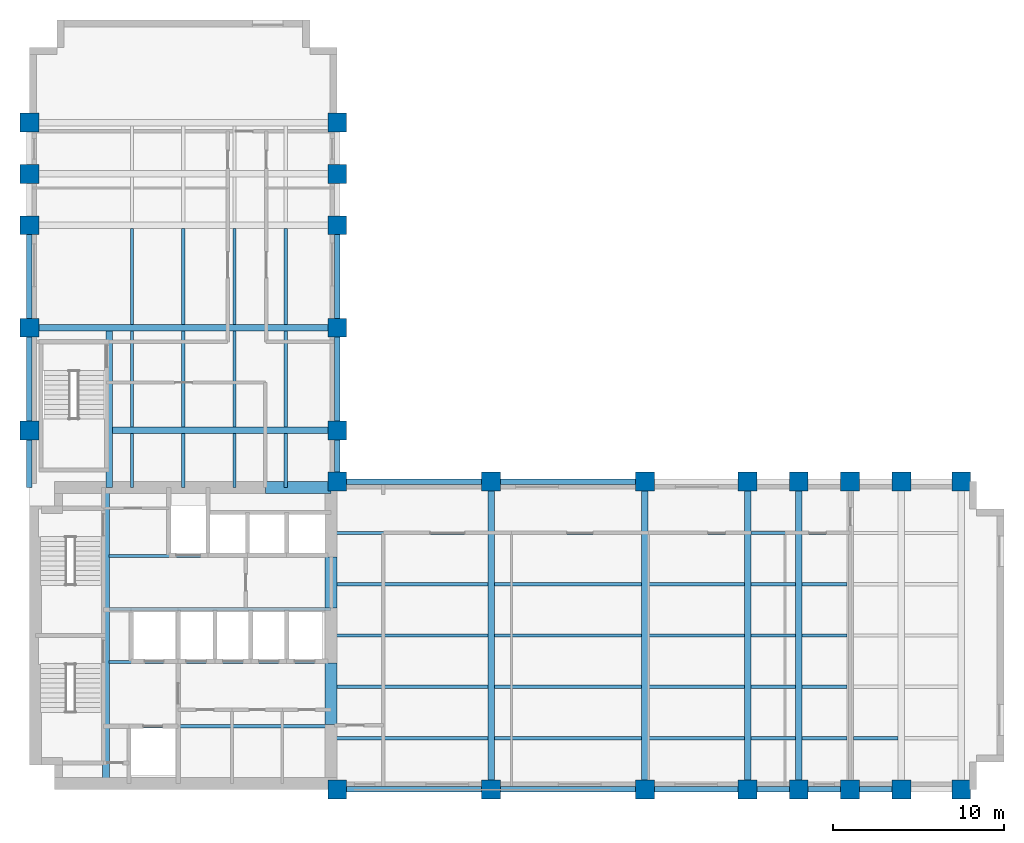
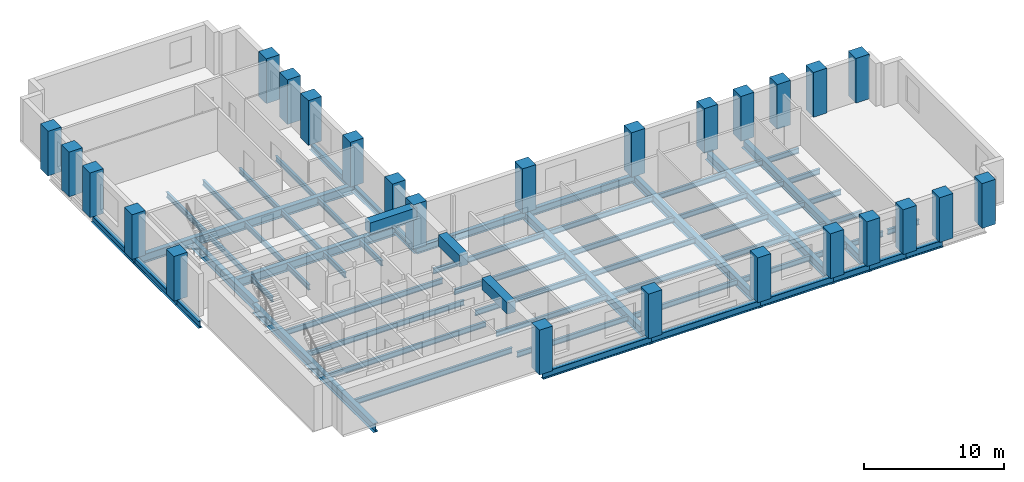
# One storey, part 1 of 7: 67 beams, 26 columns.
"""IFC4 building model written with IfcOpenShell, lengths in metres."""

from ifc_helpers import new_model, si_unit, direction, frame, origin, origin_2d, place, context, subcontext, project, spatial, rectangle, i_section, extrude, material, material_profile, profile_set, type_object, element, save


model = new_model("IFC4")

# Units and contexts
model_context = context("Model", 3, precision=1e-05, world=origin(), true_north=direction((0.0, 1.0)))
body_context = subcontext(model_context, "Body", "Model", "MODEL_VIEW")
ifc_project = project(units=[si_unit("LENGTHUNIT", "METRE"), si_unit("AREAUNIT", "SQUARE_METRE"), si_unit("VOLUMEUNIT", "CUBIC_METRE"), si_unit("PLANEANGLEUNIT", "RADIAN"), si_unit("MASSUNIT", "GRAM", prefix="KILO")], contexts=[model_context])

# Site, building, storey
site_placement = place(None, origin())
site = spatial("IfcSite", under=ifc_project, at=site_placement, CompositionType="ELEMENT")
building_placement = place(site_placement, origin())
building = spatial("IfcBuilding", under=site, at=building_placement, Name="Mawjdan Bourse Tower", CompositionType="ELEMENT")
storey_placement = place(building_placement, frame((0.0, 0.0, 105.0)))
storey = spatial("IfcBuildingStorey", under=building, at=storey_placement, Name="L24", CompositionType="ELEMENT", Elevation=105.0)

# Columns
ifc_material_1 = material(Name="Concrete C70/85", Category="concrete")
ifc_material_profile_1 = material_profile(ifc_material_1, rectangle(XDim=1.10009765625, YDim=1.10009765625, at=origin_2d()), Name="RC1100X1100")
ifc_profile_set_1 = profile_set([ifc_material_profile_1], Name="Concrete C70/85")
column_type = type_object("IfcColumnType", Name="COL-RC1100X1100", PredefinedType="COLUMN", material=ifc_profile_set_1)
for number, where, z_axis, x_axis, name in (
    (1, (24.0, 3.0, 0.0), (0.0, 0.0, 1.0), (1.0, 0.0, 0.0), "L24 Structural Column C-X240-Y30"),
    (2, (24.0, 21.0, 0.0), (0.0, 0.0, 1.0), (1.0, 0.0, 0.0), "L24 Structural Column C-X240-Y210"),
    (3, (33.0, 3.0, 0.0), (0.0, 0.0, 1.0), (1.0, 0.0, 0.0), "L24 Structural Column C-X330-Y30"),
    (4, (33.0, 21.0, 0.0), (0.0, 0.0, 1.0), (1.0, 0.0, 0.0), "L24 Structural Column C-X330-Y210"),
    (5, (42.0, 3.0, 0.0), (0.0, 0.0, 1.0), (1.0, 0.0, 0.0), "L24 Structural Column C-X420-Y30"),
    (6, (42.0, 21.0, 0.0), (0.0, 0.0, 1.0), (1.0, 0.0, 0.0), "L24 Structural Column C-X420-Y210"),
    (7, (48.0, 3.0, 0.0), (0.0, 0.0, 1.0), (1.0, 0.0, 0.0), "L24 Structural Column C-X480-Y30"),
    (8, (48.0, 21.0, 0.0), (0.0, 0.0, 1.0), (1.0, 0.0, 0.0), "L24 Structural Column C-X480-Y210"),
    (9, (51.0, 3.0, 0.0), (0.0, 0.0, 1.0), (1.0, 0.0, 0.0), "L24 Structural Column C-X510-Y30"),
    (10, (51.0, 21.0, 0.0), (0.0, 0.0, 1.0), (1.0, 0.0, 0.0), "L24 Structural Column C-X510-Y210"),
    (11, (54.0, 3.0, 0.0), (0.0, 0.0, 1.0), (1.0, 0.0, 0.0), "L24 Structural Column C-X540-Y30"),
    (12, (54.0, 21.0, 0.0), (0.0, 0.0, 1.0), (1.0, 0.0, 0.0), "L24 Structural Column C-X540-Y210"),
    (13, (57.0, 3.0, 0.0), (0.0, 0.0, 1.0), (1.0, 0.0, 0.0), "L24 Structural Column C-X570-Y30"),
    (14, (57.0, 21.0, 0.0), (0.0, 0.0, 1.0), (1.0, 0.0, 0.0), "L24 Structural Column C-X570-Y210"),
    (15, (60.5, 3.0, 0.0), (0.0, 0.0, 1.0), (1.0, 0.0, 0.0), "L24 Structural Column C-X605-Y30"),
    (16, (60.5, 21.0, 0.0), (0.0, 0.0, 1.0), (1.0, 0.0, 0.0), "L24 Structural Column C-X605-Y210"),
    (17, (6.0, 24.0, 0.0), (0.0, 0.0, 1.0), (1.0, 0.0, 0.0), "L24 Structural Column C-X60-Y240"),
    (18, (24.0, 24.0, 0.0), (0.0, 0.0, 1.0), (1.0, 0.0, 0.0), "L24 Structural Column C-X240-Y240"),
    (19, (6.0, 30.0, 0.0), (0.0, 0.0, 1.0), (1.0, 0.0, 0.0), "L24 Structural Column C-X60-Y300"),
    (20, (24.0, 30.0, 0.0), (0.0, 0.0, 1.0), (1.0, 0.0, 0.0), "L24 Structural Column C-X240-Y300"),
    (21, (6.0, 36.0, 0.0), (0.0, 0.0, 1.0), (1.0, 0.0, 0.0), "L24 Structural Column C-X60-Y360"),
    (22, (24.0, 36.0, 0.0), (0.0, 0.0, 1.0), (1.0, 0.0, 0.0), "L24 Structural Column C-X240-Y360"),
    (23, (6.0, 39.0, 0.0), (0.0, 0.0, 1.0), (1.0, 0.0, 0.0), "L24 Structural Column C-X60-Y390"),
    (24, (24.0, 39.0, 0.0), (0.0, 0.0, 1.0), (1.0, 0.0, 0.0), "L24 Structural Column C-X240-Y390"),
    (25, (6.0, 42.0, 0.0), (0.0, 0.0, 1.0), (1.0, 0.0, 0.0), "L24 Structural Column C-X60-Y420"),
    (26, (24.0, 42.0, 0.0), (0.0, 0.0, 1.0), (1.0, 0.0, 0.0), "L24 Structural Column C-X240-Y420"),
):
    element("IfcColumn", number, at=place(storey_placement, frame(where, z_axis=z_axis, x_axis=x_axis)), inside=storey, type_object=column_type, Name=name, PredefinedType="COLUMN", context=body_context, shape_type="SweptSolid", body=[
        extrude(rectangle(XDim=1.10009765625, YDim=1.10009765625, at=origin_2d()), origin(), (0.0, 0.0, 1.0), 3.89990234375),
    ])

# Beams
ifc_material_2 = material(Name="Structural Steel S355", Category="steel")
ifc_material_profile_2 = material_profile(ifc_material_2, i_section(OverallWidth=0.381103515625, OverallDepth=0.77294921875, WebThickness=0.0166015625, FlangeThickness=0.027099609375, FilletRadius=0.021728515625, at=origin_2d()), Name="W30X173")
ifc_profile_set_2 = profile_set([ifc_material_profile_2], Name="Structural Steel S355")
beam_type_1 = type_object("IfcBeamType", Name="GRD-W30X173", PredefinedType="BEAM", material=ifc_profile_set_2)
beam_1_placement = place(storey_placement, frame((10.47998046875, 3.35009765625, -0.58642578125), z_axis=(0.0, 1.0, 0.0), x_axis=(-1.0, 0.0, 0.0)))
element("IfcBeam", 27, at=beam_1_placement, inside=storey, type_object=beam_type_1, Name="L24 Core Stair Trimmer Girder 001", PredefinedType="BEAM", context=body_context, shape_type="SweptSolid", body=[
    extrude(i_section(OverallWidth=0.381103515625, OverallDepth=0.77294921875, WebThickness=0.0166015625, FlangeThickness=0.027099609375, FilletRadius=0.021728515625, at=origin_2d()), origin(), (0.0, 0.0, 1.0), 17.2998046875),
])
for number, where, z_axis, x_axis, name in (
    (28, (33.0, 3.0, -0.58642578125), (0.0, 1.0, 0.0), (-1.0, 0.0, 0.0), "L24 East Wing Clear-Span Girder 002"),
    (29, (42.0, 3.0, -0.58642578125), (0.0, 1.0, 0.0), (-1.0, 0.0, 0.0), "L24 East Wing Clear-Span Girder 003"),
    (30, (48.0, 3.0, -0.58642578125), (0.0, 1.0, 0.0), (-1.0, 0.0, 0.0), "L24 East Wing Clear-Span Girder 004"),
    (31, (51.0, 3.0, -0.58642578125), (0.0, 1.0, 0.0), (-1.0, 0.0, 0.0), "L24 East Wing Clear-Span Girder 005"),
):
    element("IfcBeam", number, at=place(storey_placement, frame(where, z_axis=z_axis, x_axis=x_axis)), inside=storey, type_object=beam_type_1, Name=name, PredefinedType="BEAM", context=body_context, shape_type="SweptSolid", body=[
        extrude(i_section(OverallWidth=0.381103515625, OverallDepth=0.77294921875, WebThickness=0.0166015625, FlangeThickness=0.027099609375, FilletRadius=0.021728515625, at=origin_2d()), origin(), (0.0, 0.0, 1.0), 18.0),
    ])
beam_2_placement = place(storey_placement, frame((10.679931640625, 20.64990234375, -0.58642578125), z_axis=(0.0, 1.0, 0.0), x_axis=(-1.0, 0.0, 0.0)))
element("IfcBeam", 32, at=beam_2_placement, inside=storey, type_object=beam_type_1, Name="L24 North Wing Stair Trimmer Girder 062", PredefinedType="BEAM", context=body_context, shape_type="SweptSolid", body=[
    extrude(i_section(OverallWidth=0.381103515625, OverallDepth=0.77294921875, WebThickness=0.0166015625, FlangeThickness=0.027099609375, FilletRadius=0.021728515625, at=origin_2d()), origin(), (0.0, 0.0, 1.0), 9.16162109375),
])
beam_3_placement = place(storey_placement, frame((10.868408203125, 24.0, -0.58642578125), z_axis=(1.0, 0.0, 0.0), x_axis=(0.0, 1.0, 0.0)))
element("IfcBeam", 33, at=beam_3_placement, inside=storey, type_object=beam_type_1, Name="L24 North Wing Clear-Span Girder 063", PredefinedType="BEAM", context=body_context, shape_type="SweptSolid", body=[
    extrude(i_section(OverallWidth=0.381103515625, OverallDepth=0.77294921875, WebThickness=0.0166015625, FlangeThickness=0.027099609375, FilletRadius=0.021728515625, at=origin_2d()), origin(), (0.0, 0.0, 1.0), 13.131591796875),
])
beam_4_placement = place(storey_placement, frame((6.0, 30.0, -0.58642578125), z_axis=(1.0, 0.0, 0.0), x_axis=(0.0, 1.0, 0.0)))
element("IfcBeam", 34, at=beam_4_placement, inside=storey, type_object=beam_type_1, Name="L24 North Wing Clear-Span Girder 064", PredefinedType="BEAM", context=body_context, shape_type="SweptSolid", body=[
    extrude(i_section(OverallWidth=0.381103515625, OverallDepth=0.77294921875, WebThickness=0.0166015625, FlangeThickness=0.027099609375, FilletRadius=0.021728515625, at=origin_2d()), origin(), (0.0, 0.0, 1.0), 18.0),
])
ifc_material_profile_3 = material_profile(ifc_material_2, i_section(OverallWidth=0.19189453125, OverallDepth=0.462890625, WebThickness=0.010498046875, FlangeThickness=0.017578125, FilletRadius=0.01416015625, at=origin_2d()), Name="W18X60")
ifc_profile_set_3 = profile_set([ifc_material_profile_3], Name="Structural Steel S355")
beam_type_2 = type_object("IfcBeamType", Name="JST-W18X60", PredefinedType="JOIST", material=ifc_profile_set_3)
beam_5_placement = place(storey_placement, frame((23.64990234375, 6.0, -0.431396484375), z_axis=(1.0, 0.0, 0.0), x_axis=(0.0, 1.0, 0.0)))
element("IfcBeam", 35, at=beam_5_placement, inside=storey, type_object=beam_type_2, Name="L24 East Wing Composite Joist 023", PredefinedType="JOIST", context=body_context, shape_type="SweptSolid", body=[
    extrude(i_section(OverallWidth=0.19189453125, OverallDepth=0.462890625, WebThickness=0.010498046875, FlangeThickness=0.017578125, FilletRadius=0.01416015625, at=origin_2d()), origin(), (0.0, 0.0, 1.0), 9.16162109375),
])
beam_6_placement = place(storey_placement, frame((33.1884765625, 6.0, -0.431396484375), z_axis=(1.0, 0.0, 0.0), x_axis=(0.0, 1.0, 0.0)))
element("IfcBeam", 36, at=beam_6_placement, inside=storey, type_object=beam_type_2, Name="L24 East Wing Composite Joist 024", PredefinedType="JOIST", context=body_context, shape_type="SweptSolid", body=[
    extrude(i_section(OverallWidth=0.19189453125, OverallDepth=0.462890625, WebThickness=0.010498046875, FlangeThickness=0.017578125, FilletRadius=0.01416015625, at=origin_2d()), origin(), (0.0, 0.0, 1.0), 8.623046875),
])
beam_7_placement = place(storey_placement, frame((42.1884765625, 6.0, -0.431396484375), z_axis=(1.0, 0.0, 0.0), x_axis=(0.0, 1.0, 0.0)))
element("IfcBeam", 37, at=beam_7_placement, inside=storey, type_object=beam_type_2, Name="L24 East Wing Composite Joist 025", PredefinedType="JOIST", context=body_context, shape_type="SweptSolid", body=[
    extrude(i_section(OverallWidth=0.19189453125, OverallDepth=0.462890625, WebThickness=0.010498046875, FlangeThickness=0.017578125, FilletRadius=0.01416015625, at=origin_2d()), origin(), (0.0, 0.0, 1.0), 5.623046875),
])
for number, where, z_axis, x_axis, name in (
    (38, (48.1884765625, 6.0, -0.431396484375), (1.0, 0.0, 0.0), (0.0, 1.0, 0.0), "L24 East Wing Composite Joist 026"),
    (39, (51.1884765625, 6.0, -0.431396484375), (1.0, 0.0, 0.0), (0.0, 1.0, 0.0), "L24 East Wing Composite Joist 027"),
    (40, (54.1884765625, 6.0, -0.431396484375), (1.0, 0.0, 0.0), (0.0, 1.0, 0.0), "L24 East Wing Composite Joist 028"),
):
    element("IfcBeam", number, at=place(storey_placement, frame(where, z_axis=z_axis, x_axis=x_axis)), inside=storey, type_object=beam_type_2, Name=name, PredefinedType="JOIST", context=body_context, shape_type="SweptSolid", body=[
        extrude(i_section(OverallWidth=0.19189453125, OverallDepth=0.462890625, WebThickness=0.010498046875, FlangeThickness=0.017578125, FilletRadius=0.01416015625, at=origin_2d()), origin(), (0.0, 0.0, 1.0), 2.623046875),
    ])
beam_8_placement = place(storey_placement, frame((23.64990234375, 9.0, -0.431396484375), z_axis=(1.0, 0.0, 0.0), x_axis=(0.0, 1.0, 0.0)))
element("IfcBeam", 41, at=beam_8_placement, inside=storey, type_object=beam_type_2, Name="L24 East Wing Composite Joist 030", PredefinedType="JOIST", context=body_context, shape_type="SweptSolid", body=[
    extrude(i_section(OverallWidth=0.19189453125, OverallDepth=0.462890625, WebThickness=0.010498046875, FlangeThickness=0.017578125, FilletRadius=0.01416015625, at=origin_2d()), origin(), (0.0, 0.0, 1.0), 9.16162109375),
])
beam_9_placement = place(storey_placement, frame((33.1884765625, 9.0, -0.431396484375), z_axis=(1.0, 0.0, 0.0), x_axis=(0.0, 1.0, 0.0)))
element("IfcBeam", 42, at=beam_9_placement, inside=storey, type_object=beam_type_2, Name="L24 East Wing Composite Joist 031", PredefinedType="JOIST", context=body_context, shape_type="SweptSolid", body=[
    extrude(i_section(OverallWidth=0.19189453125, OverallDepth=0.462890625, WebThickness=0.010498046875, FlangeThickness=0.017578125, FilletRadius=0.01416015625, at=origin_2d()), origin(), (0.0, 0.0, 1.0), 8.623046875),
])
beam_10_placement = place(storey_placement, frame((42.1884765625, 9.0, -0.431396484375), z_axis=(1.0, 0.0, 0.0), x_axis=(0.0, 1.0, 0.0)))
element("IfcBeam", 43, at=beam_10_placement, inside=storey, type_object=beam_type_2, Name="L24 East Wing Composite Joist 032", PredefinedType="JOIST", context=body_context, shape_type="SweptSolid", body=[
    extrude(i_section(OverallWidth=0.19189453125, OverallDepth=0.462890625, WebThickness=0.010498046875, FlangeThickness=0.017578125, FilletRadius=0.01416015625, at=origin_2d()), origin(), (0.0, 0.0, 1.0), 5.623046875),
])
for number, where, z_axis, x_axis, name in (
    (44, (48.1884765625, 9.0, -0.431396484375), (1.0, 0.0, 0.0), (0.0, 1.0, 0.0), "L24 East Wing Composite Joist 033"),
    (45, (51.1884765625, 9.0, -0.431396484375), (1.0, 0.0, 0.0), (0.0, 1.0, 0.0), "L24 East Wing Composite Joist 034"),
):
    element("IfcBeam", number, at=place(storey_placement, frame(where, z_axis=z_axis, x_axis=x_axis)), inside=storey, type_object=beam_type_2, Name=name, PredefinedType="JOIST", context=body_context, shape_type="SweptSolid", body=[
        extrude(i_section(OverallWidth=0.19189453125, OverallDepth=0.462890625, WebThickness=0.010498046875, FlangeThickness=0.017578125, FilletRadius=0.01416015625, at=origin_2d()), origin(), (0.0, 0.0, 1.0), 2.623046875),
    ])
beam_11_placement = place(storey_placement, frame((23.64990234375, 12.0, -0.431396484375), z_axis=(1.0, 0.0, 0.0), x_axis=(0.0, 1.0, 0.0)))
element("IfcBeam", 46, at=beam_11_placement, inside=storey, type_object=beam_type_2, Name="L24 East Wing Composite Joist 037", PredefinedType="JOIST", context=body_context, shape_type="SweptSolid", body=[
    extrude(i_section(OverallWidth=0.19189453125, OverallDepth=0.462890625, WebThickness=0.010498046875, FlangeThickness=0.017578125, FilletRadius=0.01416015625, at=origin_2d()), origin(), (0.0, 0.0, 1.0), 9.16162109375),
])
beam_12_placement = place(storey_placement, frame((33.1884765625, 12.0, -0.431396484375), z_axis=(1.0, 0.0, 0.0), x_axis=(0.0, 1.0, 0.0)))
element("IfcBeam", 47, at=beam_12_placement, inside=storey, type_object=beam_type_2, Name="L24 East Wing Composite Joist 038", PredefinedType="JOIST", context=body_context, shape_type="SweptSolid", body=[
    extrude(i_section(OverallWidth=0.19189453125, OverallDepth=0.462890625, WebThickness=0.010498046875, FlangeThickness=0.017578125, FilletRadius=0.01416015625, at=origin_2d()), origin(), (0.0, 0.0, 1.0), 8.623046875),
])
beam_13_placement = place(storey_placement, frame((42.1884765625, 12.0, -0.431396484375), z_axis=(1.0, 0.0, 0.0), x_axis=(0.0, 1.0, 0.0)))
element("IfcBeam", 48, at=beam_13_placement, inside=storey, type_object=beam_type_2, Name="L24 East Wing Composite Joist 039", PredefinedType="JOIST", context=body_context, shape_type="SweptSolid", body=[
    extrude(i_section(OverallWidth=0.19189453125, OverallDepth=0.462890625, WebThickness=0.010498046875, FlangeThickness=0.017578125, FilletRadius=0.01416015625, at=origin_2d()), origin(), (0.0, 0.0, 1.0), 5.623046875),
])
for number, where, z_axis, x_axis, name in (
    (49, (48.1884765625, 12.0, -0.431396484375), (1.0, 0.0, 0.0), (0.0, 1.0, 0.0), "L24 East Wing Composite Joist 040"),
    (50, (51.1884765625, 12.0, -0.431396484375), (1.0, 0.0, 0.0), (0.0, 1.0, 0.0), "L24 East Wing Composite Joist 041"),
):
    element("IfcBeam", number, at=place(storey_placement, frame(where, z_axis=z_axis, x_axis=x_axis)), inside=storey, type_object=beam_type_2, Name=name, PredefinedType="JOIST", context=body_context, shape_type="SweptSolid", body=[
        extrude(i_section(OverallWidth=0.19189453125, OverallDepth=0.462890625, WebThickness=0.010498046875, FlangeThickness=0.017578125, FilletRadius=0.01416015625, at=origin_2d()), origin(), (0.0, 0.0, 1.0), 2.623046875),
    ])
beam_14_placement = place(storey_placement, frame((23.64990234375, 15.0, -0.431396484375), z_axis=(1.0, 0.0, 0.0), x_axis=(0.0, 1.0, 0.0)))
element("IfcBeam", 51, at=beam_14_placement, inside=storey, type_object=beam_type_2, Name="L24 East Wing Composite Joist 044", PredefinedType="JOIST", context=body_context, shape_type="SweptSolid", body=[
    extrude(i_section(OverallWidth=0.19189453125, OverallDepth=0.462890625, WebThickness=0.010498046875, FlangeThickness=0.017578125, FilletRadius=0.01416015625, at=origin_2d()), origin(), (0.0, 0.0, 1.0), 9.16162109375),
])
beam_15_placement = place(storey_placement, frame((33.1884765625, 15.0, -0.431396484375), z_axis=(1.0, 0.0, 0.0), x_axis=(0.0, 1.0, 0.0)))
element("IfcBeam", 52, at=beam_15_placement, inside=storey, type_object=beam_type_2, Name="L24 East Wing Composite Joist 045", PredefinedType="JOIST", context=body_context, shape_type="SweptSolid", body=[
    extrude(i_section(OverallWidth=0.19189453125, OverallDepth=0.462890625, WebThickness=0.010498046875, FlangeThickness=0.017578125, FilletRadius=0.01416015625, at=origin_2d()), origin(), (0.0, 0.0, 1.0), 8.623046875),
])
beam_16_placement = place(storey_placement, frame((42.1884765625, 15.0, -0.431396484375), z_axis=(1.0, 0.0, 0.0), x_axis=(0.0, 1.0, 0.0)))
element("IfcBeam", 53, at=beam_16_placement, inside=storey, type_object=beam_type_2, Name="L24 East Wing Composite Joist 046", PredefinedType="JOIST", context=body_context, shape_type="SweptSolid", body=[
    extrude(i_section(OverallWidth=0.19189453125, OverallDepth=0.462890625, WebThickness=0.010498046875, FlangeThickness=0.017578125, FilletRadius=0.01416015625, at=origin_2d()), origin(), (0.0, 0.0, 1.0), 5.623046875),
])
for number, where, z_axis, x_axis, name in (
    (54, (48.1884765625, 15.0, -0.431396484375), (1.0, 0.0, 0.0), (0.0, 1.0, 0.0), "L24 East Wing Composite Joist 047"),
    (55, (51.1884765625, 15.0, -0.431396484375), (1.0, 0.0, 0.0), (0.0, 1.0, 0.0), "L24 East Wing Composite Joist 048"),
):
    element("IfcBeam", number, at=place(storey_placement, frame(where, z_axis=z_axis, x_axis=x_axis)), inside=storey, type_object=beam_type_2, Name=name, PredefinedType="JOIST", context=body_context, shape_type="SweptSolid", body=[
        extrude(i_section(OverallWidth=0.19189453125, OverallDepth=0.462890625, WebThickness=0.010498046875, FlangeThickness=0.017578125, FilletRadius=0.01416015625, at=origin_2d()), origin(), (0.0, 0.0, 1.0), 2.623046875),
    ])
beam_17_placement = place(storey_placement, frame((23.64990234375, 18.0, -0.431396484375), z_axis=(1.0, 0.0, 0.0), x_axis=(0.0, 1.0, 0.0)))
element("IfcBeam", 56, at=beam_17_placement, inside=storey, type_object=beam_type_2, Name="L24 East Wing Composite Joist 051", PredefinedType="JOIST", context=body_context, shape_type="SweptSolid", body=[
    extrude(i_section(OverallWidth=0.19189453125, OverallDepth=0.462890625, WebThickness=0.010498046875, FlangeThickness=0.017578125, FilletRadius=0.01416015625, at=origin_2d()), origin(), (0.0, 0.0, 1.0), 9.16162109375),
])
beam_18_placement = place(storey_placement, frame((33.1884765625, 18.0, -0.431396484375), z_axis=(1.0, 0.0, 0.0), x_axis=(0.0, 1.0, 0.0)))
element("IfcBeam", 57, at=beam_18_placement, inside=storey, type_object=beam_type_2, Name="L24 East Wing Composite Joist 052", PredefinedType="JOIST", context=body_context, shape_type="SweptSolid", body=[
    extrude(i_section(OverallWidth=0.19189453125, OverallDepth=0.462890625, WebThickness=0.010498046875, FlangeThickness=0.017578125, FilletRadius=0.01416015625, at=origin_2d()), origin(), (0.0, 0.0, 1.0), 8.623046875),
])
beam_19_placement = place(storey_placement, frame((42.1884765625, 18.0, -0.431396484375), z_axis=(1.0, 0.0, 0.0), x_axis=(0.0, 1.0, 0.0)))
element("IfcBeam", 58, at=beam_19_placement, inside=storey, type_object=beam_type_2, Name="L24 East Wing Composite Joist 053", PredefinedType="JOIST", context=body_context, shape_type="SweptSolid", body=[
    extrude(i_section(OverallWidth=0.19189453125, OverallDepth=0.462890625, WebThickness=0.010498046875, FlangeThickness=0.017578125, FilletRadius=0.01416015625, at=origin_2d()), origin(), (0.0, 0.0, 1.0), 5.623046875),
])
for number, where, z_axis, x_axis, name in (
    (59, (48.1884765625, 18.0, -0.431396484375), (1.0, 0.0, 0.0), (0.0, 1.0, 0.0), "L24 East Wing Composite Joist 054"),
    (60, (51.1884765625, 18.0, -0.431396484375), (1.0, 0.0, 0.0), (0.0, 1.0, 0.0), "L24 East Wing Composite Joist 055"),
):
    element("IfcBeam", number, at=place(storey_placement, frame(where, z_axis=z_axis, x_axis=x_axis)), inside=storey, type_object=beam_type_2, Name=name, PredefinedType="JOIST", context=body_context, shape_type="SweptSolid", body=[
        extrude(i_section(OverallWidth=0.19189453125, OverallDepth=0.462890625, WebThickness=0.010498046875, FlangeThickness=0.017578125, FilletRadius=0.01416015625, at=origin_2d()), origin(), (0.0, 0.0, 1.0), 2.623046875),
    ])
for number, where, z_axis, x_axis, name in (
    (61, (10.66845703125, 6.699951171875, -0.431396484375), (1.0, 0.0, 0.0), (0.0, 1.0, 0.0), "L24 Core Floor Joist 058"),
    (62, (10.66845703125, 10.449951171875, -0.431396484375), (1.0, 0.0, 0.0), (0.0, 1.0, 0.0), "L24 Core Floor Joist 059"),
    (63, (10.66845703125, 13.550048828125, -0.431396484375), (1.0, 0.0, 0.0), (0.0, 1.0, 0.0), "L24 Core Floor Joist 060"),
    (64, (10.66845703125, 16.64990234375, -0.431396484375), (1.0, 0.0, 0.0), (0.0, 1.0, 0.0), "L24 Core Floor Joist 061"),
):
    element("IfcBeam", number, at=place(storey_placement, frame(where, z_axis=z_axis, x_axis=x_axis)), inside=storey, type_object=beam_type_2, Name=name, PredefinedType="JOIST", context=body_context, shape_type="SweptSolid", body=[
        extrude(i_section(OverallWidth=0.19189453125, OverallDepth=0.462890625, WebThickness=0.010498046875, FlangeThickness=0.017578125, FilletRadius=0.01416015625, at=origin_2d()), origin(), (0.0, 0.0, 1.0), 12.9814453125),
    ])
beam_20_placement = place(storey_placement, frame((12.0, 20.64990234375, -0.431396484375), z_axis=(0.0, 1.0, 0.0), x_axis=(-1.0, 0.0, 0.0)))
element("IfcBeam", 65, at=beam_20_placement, inside=storey, type_object=beam_type_2, Name="L24 North Wing Composite Joist 078", PredefinedType="JOIST", context=body_context, shape_type="SweptSolid", body=[
    extrude(i_section(OverallWidth=0.19189453125, OverallDepth=0.462890625, WebThickness=0.010498046875, FlangeThickness=0.017578125, FilletRadius=0.01416015625, at=origin_2d()), origin(), (0.0, 0.0, 1.0), 3.16162109375),
])
for number, where, z_axis, x_axis, name in (
    (66, (12.0, 24.1884765625, -0.431396484375), (0.0, 1.0, 0.0), (-1.0, 0.0, 0.0), "L24 North Wing Composite Joist 079"),
    (67, (12.0, 30.1884765625, -0.431396484375), (0.0, 1.0, 0.0), (-1.0, 0.0, 0.0), "L24 North Wing Composite Joist 080"),
):
    element("IfcBeam", number, at=place(storey_placement, frame(where, z_axis=z_axis, x_axis=x_axis)), inside=storey, type_object=beam_type_2, Name=name, PredefinedType="JOIST", context=body_context, shape_type="SweptSolid", body=[
        extrude(i_section(OverallWidth=0.19189453125, OverallDepth=0.462890625, WebThickness=0.010498046875, FlangeThickness=0.017578125, FilletRadius=0.01416015625, at=origin_2d()), origin(), (0.0, 0.0, 1.0), 5.623046875),
    ])
beam_21_placement = place(storey_placement, frame((15.0, 20.64990234375, -0.431396484375), z_axis=(0.0, 1.0, 0.0), x_axis=(-1.0, 0.0, 0.0)))
element("IfcBeam", 68, at=beam_21_placement, inside=storey, type_object=beam_type_2, Name="L24 North Wing Composite Joist 083", PredefinedType="JOIST", context=body_context, shape_type="SweptSolid", body=[
    extrude(i_section(OverallWidth=0.19189453125, OverallDepth=0.462890625, WebThickness=0.010498046875, FlangeThickness=0.017578125, FilletRadius=0.01416015625, at=origin_2d()), origin(), (0.0, 0.0, 1.0), 3.16162109375),
])
for number, where, z_axis, x_axis, name in (
    (69, (15.0, 24.1884765625, -0.431396484375), (0.0, 1.0, 0.0), (-1.0, 0.0, 0.0), "L24 North Wing Composite Joist 084"),
    (70, (15.0, 30.1884765625, -0.431396484375), (0.0, 1.0, 0.0), (-1.0, 0.0, 0.0), "L24 North Wing Composite Joist 085"),
):
    element("IfcBeam", number, at=place(storey_placement, frame(where, z_axis=z_axis, x_axis=x_axis)), inside=storey, type_object=beam_type_2, Name=name, PredefinedType="JOIST", context=body_context, shape_type="SweptSolid", body=[
        extrude(i_section(OverallWidth=0.19189453125, OverallDepth=0.462890625, WebThickness=0.010498046875, FlangeThickness=0.017578125, FilletRadius=0.01416015625, at=origin_2d()), origin(), (0.0, 0.0, 1.0), 5.623046875),
    ])
beam_22_placement = place(storey_placement, frame((18.0, 20.64990234375, -0.431396484375), z_axis=(0.0, 1.0, 0.0), x_axis=(-1.0, 0.0, 0.0)))
element("IfcBeam", 71, at=beam_22_placement, inside=storey, type_object=beam_type_2, Name="L24 North Wing Composite Joist 088", PredefinedType="JOIST", context=body_context, shape_type="SweptSolid", body=[
    extrude(i_section(OverallWidth=0.19189453125, OverallDepth=0.462890625, WebThickness=0.010498046875, FlangeThickness=0.017578125, FilletRadius=0.01416015625, at=origin_2d()), origin(), (0.0, 0.0, 1.0), 3.16162109375),
])
for number, where, z_axis, x_axis, name in (
    (72, (18.0, 24.1884765625, -0.431396484375), (0.0, 1.0, 0.0), (-1.0, 0.0, 0.0), "L24 North Wing Composite Joist 089"),
    (73, (18.0, 30.1884765625, -0.431396484375), (0.0, 1.0, 0.0), (-1.0, 0.0, 0.0), "L24 North Wing Composite Joist 090"),
):
    element("IfcBeam", number, at=place(storey_placement, frame(where, z_axis=z_axis, x_axis=x_axis)), inside=storey, type_object=beam_type_2, Name=name, PredefinedType="JOIST", context=body_context, shape_type="SweptSolid", body=[
        extrude(i_section(OverallWidth=0.19189453125, OverallDepth=0.462890625, WebThickness=0.010498046875, FlangeThickness=0.017578125, FilletRadius=0.01416015625, at=origin_2d()), origin(), (0.0, 0.0, 1.0), 5.623046875),
    ])
beam_23_placement = place(storey_placement, frame((21.0, 20.64990234375, -0.431396484375), z_axis=(0.0, 1.0, 0.0), x_axis=(-1.0, 0.0, 0.0)))
element("IfcBeam", 74, at=beam_23_placement, inside=storey, type_object=beam_type_2, Name="L24 North Wing Composite Joist 093", PredefinedType="JOIST", context=body_context, shape_type="SweptSolid", body=[
    extrude(i_section(OverallWidth=0.19189453125, OverallDepth=0.462890625, WebThickness=0.010498046875, FlangeThickness=0.017578125, FilletRadius=0.01416015625, at=origin_2d()), origin(), (0.0, 0.0, 1.0), 3.16162109375),
])
for number, where, z_axis, x_axis, name in (
    (75, (21.0, 24.1884765625, -0.431396484375), (0.0, 1.0, 0.0), (-1.0, 0.0, 0.0), "L24 North Wing Composite Joist 094"),
    (76, (21.0, 30.1884765625, -0.431396484375), (0.0, 1.0, 0.0), (-1.0, 0.0, 0.0), "L24 North Wing Composite Joist 095"),
):
    element("IfcBeam", number, at=place(storey_placement, frame(where, z_axis=z_axis, x_axis=x_axis)), inside=storey, type_object=beam_type_2, Name=name, PredefinedType="JOIST", context=body_context, shape_type="SweptSolid", body=[
        extrude(i_section(OverallWidth=0.19189453125, OverallDepth=0.462890625, WebThickness=0.010498046875, FlangeThickness=0.017578125, FilletRadius=0.01416015625, at=origin_2d()), origin(), (0.0, 0.0, 1.0), 5.623046875),
    ])
ifc_material_profile_4 = material_profile(ifc_material_1, rectangle(XDim=0.699951171875, YDim=1.0, at=origin_2d()), Name="RCB700X1000")
ifc_profile_set_4 = profile_set([ifc_material_profile_4], Name="Concrete C70/85")
beam_type_3 = type_object("IfcBeamType", Name="LNT-RCB700X1000", PredefinedType="LINTEL", material=ifc_profile_set_4)
beam_24_placement = place(storey_placement, frame((23.64990234375, 6.800048828125, 3.199951171875), z_axis=(0.0, 1.0, 0.0), x_axis=(-1.0, 0.0, 0.0)))
element("IfcBeam", 77, at=beam_24_placement, inside=storey, type_object=beam_type_3, Name="L24 Coupled Core Lintel CB-E1", PredefinedType="LINTEL", context=body_context, shape_type="SweptSolid", body=[
    extrude(rectangle(XDim=0.699951171875, YDim=1.0, at=origin_2d()), origin(), (0.0, 0.0, 1.0), 3.599853515625),
])
beam_25_placement = place(storey_placement, frame((23.64990234375, 13.60009765625, 3.199951171875), z_axis=(0.0, 1.0, 0.0), x_axis=(-1.0, 0.0, 0.0)))
element("IfcBeam", 78, at=beam_25_placement, inside=storey, type_object=beam_type_3, Name="L24 Coupled Core Lintel CB-E2", PredefinedType="LINTEL", context=body_context, shape_type="SweptSolid", body=[
    extrude(rectangle(XDim=0.699951171875, YDim=1.0, at=origin_2d()), origin(), (0.0, 0.0, 1.0), 3.0),
])
beam_26_placement = place(storey_placement, frame((19.800048828125, 20.64990234375, 3.199951171875), z_axis=(1.0, 0.0, 0.0), x_axis=(0.0, 1.0, 0.0)))
element("IfcBeam", 79, at=beam_26_placement, inside=storey, type_object=beam_type_3, Name="L24 Coupled Core Lintel CB-N1", PredefinedType="LINTEL", context=body_context, shape_type="SweptSolid", body=[
    extrude(rectangle(XDim=0.699951171875, YDim=1.0, at=origin_2d()), origin(), (0.0, 0.0, 1.0), 3.849853515625),
])
ifc_material_profile_5 = material_profile(ifc_material_2, i_section(OverallWidth=0.324951171875, OverallDepth=0.616943359375, WebThickness=0.013916015625, FlangeThickness=0.021484375, FilletRadius=0.017333984375, at=origin_2d()), Name="W24X117")
ifc_profile_set_5 = profile_set([ifc_material_profile_5], Name="Structural Steel S355")
beam_type_4 = type_object("IfcBeamType", Name="SPN-W24X117", PredefinedType="SPANDREL", material=ifc_profile_set_5)
for number, where, z_axis, x_axis, name in (
    (80, (24.0, 3.0, -0.508544921875), (1.0, 0.0, 0.0), (0.0, 1.0, 0.0), "L24 Perimeter Masonry-Shelf Spandrel 009"),
    (81, (33.0, 3.0, -0.508544921875), (1.0, 0.0, 0.0), (0.0, 1.0, 0.0), "L24 Perimeter Masonry-Shelf Spandrel 010"),
):
    element("IfcBeam", number, at=place(storey_placement, frame(where, z_axis=z_axis, x_axis=x_axis)), inside=storey, type_object=beam_type_4, Name=name, PredefinedType="SPANDREL", context=body_context, shape_type="SweptSolid", body=[
        extrude(i_section(OverallWidth=0.324951171875, OverallDepth=0.616943359375, WebThickness=0.013916015625, FlangeThickness=0.021484375, FilletRadius=0.017333984375, at=origin_2d()), origin(), (0.0, 0.0, 1.0), 9.0),
    ])
beam_27_placement = place(storey_placement, frame((42.0, 3.0, -0.508544921875), z_axis=(1.0, 0.0, 0.0), x_axis=(0.0, 1.0, 0.0)))
element("IfcBeam", 82, at=beam_27_placement, inside=storey, type_object=beam_type_4, Name="L24 Perimeter Masonry-Shelf Spandrel 011", PredefinedType="SPANDREL", context=body_context, shape_type="SweptSolid", body=[
    extrude(i_section(OverallWidth=0.324951171875, OverallDepth=0.616943359375, WebThickness=0.013916015625, FlangeThickness=0.021484375, FilletRadius=0.017333984375, at=origin_2d()), origin(), (0.0, 0.0, 1.0), 6.0),
])
for number, where, z_axis, x_axis, name in (
    (83, (48.0, 3.0, -0.508544921875), (1.0, 0.0, 0.0), (0.0, 1.0, 0.0), "L24 Perimeter Masonry-Shelf Spandrel 012"),
    (84, (51.0, 3.0, -0.508544921875), (1.0, 0.0, 0.0), (0.0, 1.0, 0.0), "L24 Perimeter Masonry-Shelf Spandrel 013"),
    (85, (54.0, 3.0, -0.508544921875), (1.0, 0.0, 0.0), (0.0, 1.0, 0.0), "L24 Perimeter Masonry-Shelf Spandrel 014"),
):
    element("IfcBeam", number, at=place(storey_placement, frame(where, z_axis=z_axis, x_axis=x_axis)), inside=storey, type_object=beam_type_4, Name=name, PredefinedType="SPANDREL", context=body_context, shape_type="SweptSolid", body=[
        extrude(i_section(OverallWidth=0.324951171875, OverallDepth=0.616943359375, WebThickness=0.013916015625, FlangeThickness=0.021484375, FilletRadius=0.017333984375, at=origin_2d()), origin(), (0.0, 0.0, 1.0), 3.0),
    ])
for number, where, z_axis, x_axis, name in (
    (86, (24.0, 21.0, -0.508544921875), (1.0, 0.0, 0.0), (0.0, 1.0, 0.0), "L24 Perimeter Masonry-Shelf Spandrel 016"),
    (87, (33.0, 21.0, -0.508544921875), (1.0, 0.0, 0.0), (0.0, 1.0, 0.0), "L24 Perimeter Masonry-Shelf Spandrel 017"),
):
    element("IfcBeam", number, at=place(storey_placement, frame(where, z_axis=z_axis, x_axis=x_axis)), inside=storey, type_object=beam_type_4, Name=name, PredefinedType="SPANDREL", context=body_context, shape_type="SweptSolid", body=[
        extrude(i_section(OverallWidth=0.324951171875, OverallDepth=0.616943359375, WebThickness=0.013916015625, FlangeThickness=0.021484375, FilletRadius=0.017333984375, at=origin_2d()), origin(), (0.0, 0.0, 1.0), 9.0),
    ])
beam_28_placement = place(storey_placement, frame((6.0, 20.64990234375, -0.508544921875), z_axis=(0.0, 1.0, 0.0), x_axis=(-1.0, 0.0, 0.0)))
element("IfcBeam", 88, at=beam_28_placement, inside=storey, type_object=beam_type_4, Name="L24 North Wing Spandrel 068", PredefinedType="SPANDREL", context=body_context, shape_type="SweptSolid", body=[
    extrude(i_section(OverallWidth=0.324951171875, OverallDepth=0.616943359375, WebThickness=0.013916015625, FlangeThickness=0.021484375, FilletRadius=0.017333984375, at=origin_2d()), origin(), (0.0, 0.0, 1.0), 3.35009765625),
])
for number, where, z_axis, x_axis, name in (
    (89, (6.0, 24.0, -0.508544921875), (0.0, 1.0, 0.0), (-1.0, 0.0, 0.0), "L24 North Wing Spandrel 069"),
    (90, (6.0, 30.0, -0.508544921875), (0.0, 1.0, 0.0), (-1.0, 0.0, 0.0), "L24 North Wing Spandrel 070"),
):
    element("IfcBeam", number, at=place(storey_placement, frame(where, z_axis=z_axis, x_axis=x_axis)), inside=storey, type_object=beam_type_4, Name=name, PredefinedType="SPANDREL", context=body_context, shape_type="SweptSolid", body=[
        extrude(i_section(OverallWidth=0.324951171875, OverallDepth=0.616943359375, WebThickness=0.013916015625, FlangeThickness=0.021484375, FilletRadius=0.017333984375, at=origin_2d()), origin(), (0.0, 0.0, 1.0), 6.0),
    ])
beam_29_placement = place(storey_placement, frame((24.0, 21.0, -0.508544921875), z_axis=(0.0, 1.0, 0.0), x_axis=(-1.0, 0.0, 0.0)))
element("IfcBeam", 91, at=beam_29_placement, inside=storey, type_object=beam_type_4, Name="L24 North Wing Spandrel 073", PredefinedType="SPANDREL", context=body_context, shape_type="SweptSolid", body=[
    extrude(i_section(OverallWidth=0.324951171875, OverallDepth=0.616943359375, WebThickness=0.013916015625, FlangeThickness=0.021484375, FilletRadius=0.017333984375, at=origin_2d()), origin(), (0.0, 0.0, 1.0), 3.0),
])
for number, where, z_axis, x_axis, name in (
    (92, (24.0, 24.0, -0.508544921875), (0.0, 1.0, 0.0), (-1.0, 0.0, 0.0), "L24 North Wing Spandrel 074"),
    (93, (24.0, 30.0, -0.508544921875), (0.0, 1.0, 0.0), (-1.0, 0.0, 0.0), "L24 North Wing Spandrel 075"),
):
    element("IfcBeam", number, at=place(storey_placement, frame(where, z_axis=z_axis, x_axis=x_axis)), inside=storey, type_object=beam_type_4, Name=name, PredefinedType="SPANDREL", context=body_context, shape_type="SweptSolid", body=[
        extrude(i_section(OverallWidth=0.324951171875, OverallDepth=0.616943359375, WebThickness=0.013916015625, FlangeThickness=0.021484375, FilletRadius=0.017333984375, at=origin_2d()), origin(), (0.0, 0.0, 1.0), 6.0),
    ])

save(model, "model.ifc")
